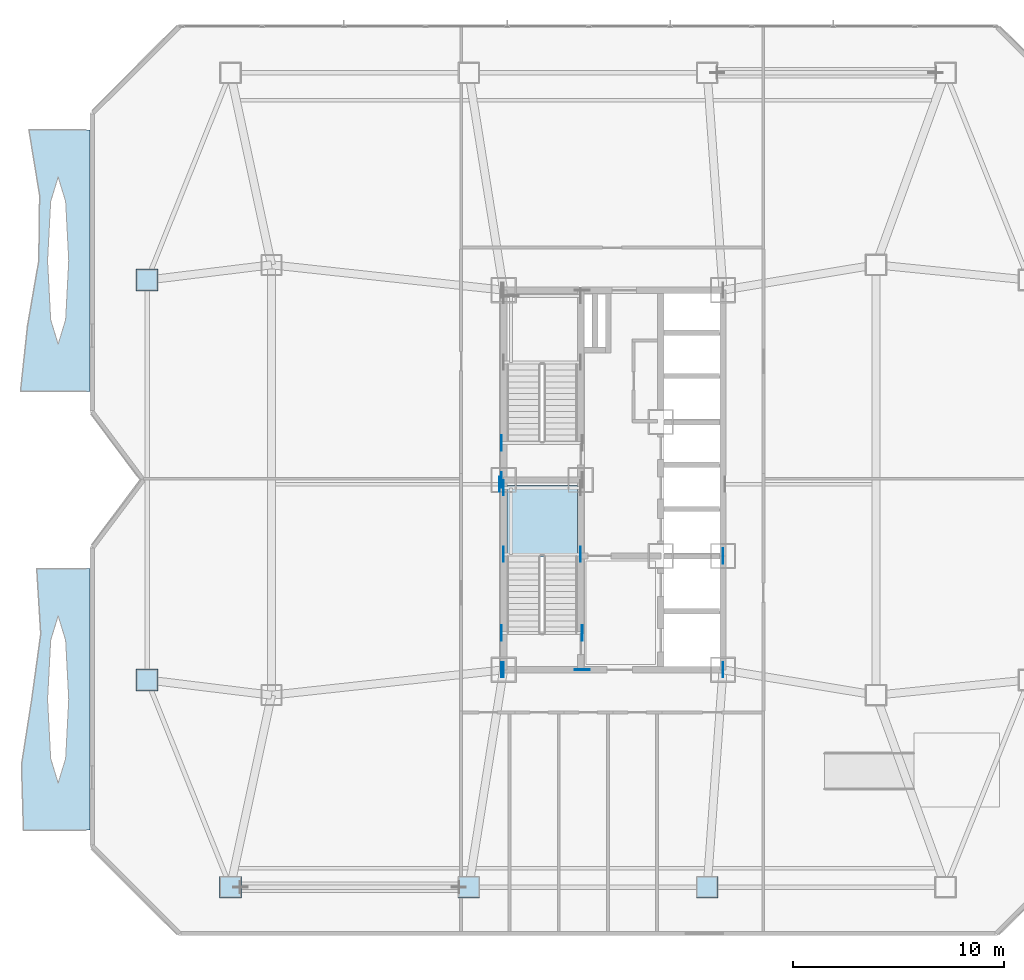
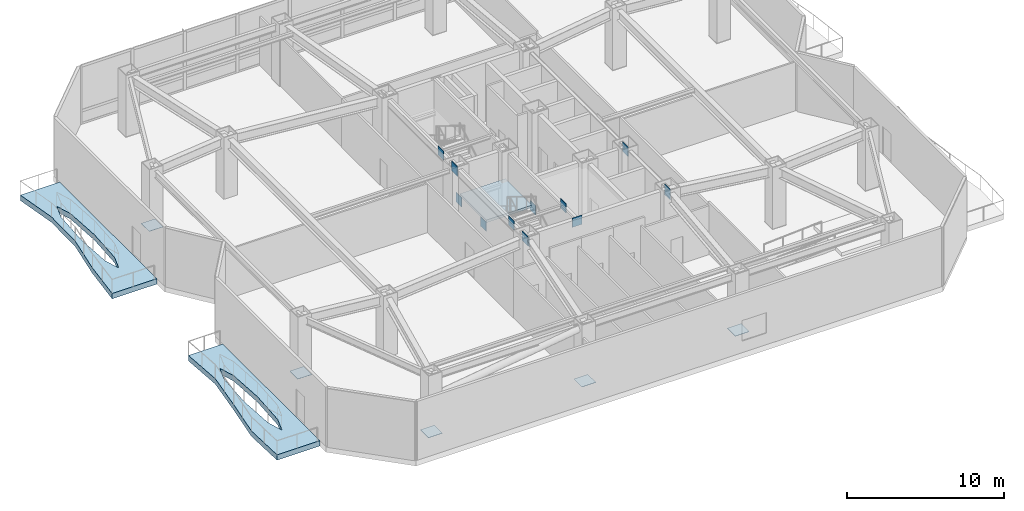
# One storey, part 5 of 14: 19 plates, 3 slabs, 1 element without a shape of its own.
"""IFC4 building model written with IfcOpenShell, lengths in metres."""

from ifc_helpers import new_model, si_unit, direction, frame, origin, origin_2d, place, context, subcontext, project, spatial, polyline, rectangle, outline, extrude, material, layer, layer_set, type_object, element, aggregate, save


model = new_model("IFC4")

# Units and contexts
model_context = context("Model", 3, precision=1e-05, world=origin(), true_north=direction((0.0, 1.0)))
body_context = subcontext(model_context, "Body", "Model", "MODEL_VIEW")
ifc_project = project(units=[si_unit("LENGTHUNIT", "METRE"), si_unit("AREAUNIT", "SQUARE_METRE"), si_unit("VOLUMEUNIT", "CUBIC_METRE"), si_unit("PLANEANGLEUNIT", "RADIAN"), si_unit("MASSUNIT", "GRAM", prefix="KILO")], contexts=[model_context])

# Site, building, storey
site_placement = place(None, origin())
site = spatial("IfcSite", under=ifc_project, at=site_placement, CompositionType="ELEMENT")
building_placement = place(site_placement, origin())
building = spatial("IfcBuilding", under=site, at=building_placement, Name="Khamvora Tower", CompositionType="ELEMENT")
storey_placement = place(building_placement, frame((0.0, 0.0, 89.800048828125)))
storey = spatial("IfcBuildingStorey", under=building, at=storey_placement, Name="L22", CompositionType="ELEMENT", Elevation=89.800048828125)

# Plates
ifc_material_1 = material(Name="Steel S355", Category="steel")
ifc_layer_1 = layer(ifc_material_1, 0.02490234375)
ifc_layer_set_1 = layer_set([ifc_layer_1], Name="Steel S355")
plate_type_1 = type_object("IfcPlateType", Name="PL-CAP-25", PredefinedType="SHEET", material=ifc_layer_set_1)
for number, where, z_axis, x_axis, name in (
    (1, (16.050048828125, 8.699951171875, -0.00048828125), (0.0, 0.0, 1.0), (1.0, 0.0, 0.0), "L22 hollow section steel end cap plate 0146"),
    (2, (27.35009765625, 8.699951171875, -0.00048828125), (0.0, 0.0, 1.0), (1.0, 0.0, 0.0), "L22 hollow section steel end cap plate 0149"),
    (3, (38.64990234375, 8.699951171875, -0.00048828125), (0.0, 0.0, 1.0), (1.0, 0.0, 0.0), "L22 hollow section steel end cap plate 0152"),
    (4, (12.10009765625, 18.52001953125, -0.00048828125), (0.0, 0.0, 1.0), (1.0, 0.0, 0.0), "L22 hollow section steel end cap plate 0170"),
    (5, (12.10009765625, 37.47998046875, -0.00048828125), (0.0, 0.0, 1.0), (1.0, 0.0, 0.0), "L22 hollow section steel end cap plate 0173"),
):
    element("IfcPlate", number, at=place(storey_placement, frame(where, z_axis=z_axis, x_axis=x_axis)), inside=storey, type_object=plate_type_1, Name=name, PredefinedType="SHEET", context=body_context, shape_type="SweptSolid", body=[
        extrude(rectangle(XDim=1.030029296875, YDim=1.030029296875, at=origin_2d()), origin(), (0.0, 0.0, 1.0), 0.02490234375),
    ])
ifc_material_2 = material(Name="Steel S460", Category="steel")
ifc_layer_2 = layer(ifc_material_2, 0.034912109375)
ifc_layer_set_2 = layer_set([ifc_layer_2], Name="Steel S460")
plate_type_2 = type_object("IfcPlateType", Name="PL-EMB-35", PredefinedType="SHEET", material=ifc_layer_set_2)
for number, where, z_axis, x_axis, name in (
    (6, (29.0, 24.47509765625, 1.708984375), (0.0, 0.0, 1.0), (1.0, 0.0, 0.0), "L22 core shear wall cast-in embed plate 0656"),
    (7, (32.64990234375, 24.47509765625, 1.708984375), (0.0, 0.0, 1.0), (1.0, 0.0, 0.0), "L22 core shear wall cast-in embed plate 0657"),
    (8, (29.0, 27.6298828125, 1.708984375), (0.0, 0.0, 1.0), (1.0, 0.0, 0.0), "L22 core shear wall cast-in embed plate 0658"),
    (9, (29.0, 19.0, 3.8330078125), (0.0, 0.0, 1.0), (1.0, 0.0, 0.0), "L22 core shear wall cast-in embed plate 0665"),
    (10, (39.39990234375, 19.0, 3.8330078125), (0.0, 0.0, 1.0), (1.0, 0.0, 0.0), "L22 core shear wall cast-in embed plate 0666"),
    (11, (28.89990234375, 19.0, 3.9541015625), (0.0, 0.0, 1.0), (1.0, 0.0, 0.0), "L22 core shear wall cast-in embed plate 0669"),
    (12, (28.89990234375, 28.0, 3.9541015625), (0.0, 0.0, 1.0), (1.0, 0.0, 0.0), "L22 core shear wall cast-in embed plate 0670"),
):
    element("IfcPlate", number, at=place(storey_placement, frame(where, z_axis=z_axis, x_axis=x_axis)), inside=storey, type_object=plate_type_2, Name=name, PredefinedType="SHEET", context=body_context, shape_type="SweptSolid", body=[
        extrude(rectangle(XDim=0.034912109375, YDim=0.719970703125, at=origin_2d()), origin(), (0.0, 0.0, 1.0), 0.719970703125),
    ])
plate_placement = place(storey_placement, frame((32.72998046875, 19.0, 3.9541015625), z_axis=(0.0, 0.0, 1.0), x_axis=(1.0, 0.0, 0.0)))
element("IfcPlate", 13, at=plate_placement, inside=storey, type_object=plate_type_2, Name="L22 core shear wall cast-in embed plate 0672", PredefinedType="SHEET", context=body_context, shape_type="SweptSolid", body=[
    extrude(rectangle(XDim=0.719970703125, YDim=0.034912109375, at=origin_2d()), origin(), (0.0, 0.0, 1.0), 0.719970703125),
])
for number, where, z_axis, x_axis, name in (
    (14, (39.39990234375, 19.0, 3.9541015625), (0.0, 0.0, 1.0), (1.0, 0.0, 0.0), "L22 core shear wall cast-in embed plate 0675"),
    (15, (39.39990234375, 24.39990234375, 3.9541015625), (0.0, 0.0, 1.0), (1.0, 0.0, 0.0), "L22 core shear wall cast-in embed plate 0676"),
    (16, (28.89990234375, 20.75, 4.09375), (0.0, 0.0, 1.0), (1.0, 0.0, 0.0), "L22 core shear wall cast-in embed plate 0678"),
    (17, (32.72998046875, 20.75, 4.09375), (0.0, 0.0, 1.0), (1.0, 0.0, 0.0), "L22 core shear wall cast-in embed plate 0679"),
    (18, (28.89990234375, 29.75, 4.09375), (0.0, 0.0, 1.0), (1.0, 0.0, 0.0), "L22 core shear wall cast-in embed plate 0680"),
    (19, (28.800048828125, 27.800048828125, 4.06396484375), (0.0, 0.0, 1.0), (1.0, 0.0, 0.0), "L22 core shear wall cast-in embed plate 0682"),
):
    element("IfcPlate", number, at=place(storey_placement, frame(where, z_axis=z_axis, x_axis=x_axis)), inside=storey, type_object=plate_type_2, Name=name, PredefinedType="SHEET", context=body_context, shape_type="SweptSolid", body=[
        extrude(rectangle(XDim=0.034912109375, YDim=0.719970703125, at=origin_2d()), origin(), (0.0, 0.0, 1.0), 0.719970703125),
    ])

# Slabs
ifc_material_3 = material(Name="Concrete C40/50", Category="concrete")
ifc_layer_3 = layer(ifc_material_3, 0.419921875)
ifc_layer_set_3 = layer_set([ifc_layer_3], Name="Concrete C40/50")
slab_type_1 = type_object("IfcSlabType", Name="SLB-GRD-420", PredefinedType="FLOOR", material=ifc_layer_set_3)
slab_1_placement = place(storey_placement, frame((0.0, 0.0, -0.420166015625)))
element("IfcSlab", 20, at=slab_1_placement, inside=storey, type_object=slab_type_1, Name="L22 external lens gallery slab WL1", PredefinedType="FLOOR", context=body_context, shape_type="SweptSolid", body=[
    extrude(outline(polyline([(9.39990234375, 11.39990234375), (9.39990234375, 23.800048828125), (6.867919921875, 23.800048828125), (7.05908203125, 20.699951171875), (6.633056640625, 17.60009765625), (6.14794921875, 14.5), (6.238037109375, 11.39990234375), (9.39990234375, 11.39990234375)]), holes=[polyline([(8.388916015625, 17.60009765625), (8.240966796875, 20.406005859375), (7.885009765625, 21.568115234375), (7.529052734375, 20.406005859375), (7.381103515625, 17.60009765625), (7.529052734375, 14.7939453125), (7.885009765625, 13.632080078125), (8.240966796875, 14.7939453125), (8.388916015625, 17.60009765625)])]), origin(), (0.0, 0.0, 1.0), 0.420166015625),
])
slab_2_placement = place(storey_placement, frame((0.0, 0.0, -0.420166015625)))
element("IfcSlab", 21, at=slab_2_placement, inside=storey, type_object=slab_type_1, Name="L22 external lens gallery slab WL2", PredefinedType="FLOOR", context=body_context, shape_type="SweptSolid", body=[
    extrude(outline(polyline([(9.39990234375, 32.199951171875), (9.39990234375, 44.60009765625), (6.4970703125, 44.60009765625), (7.006103515625, 41.5), (6.967041015625, 38.39990234375), (6.431884765625, 35.300048828125), (6.10009765625, 32.199951171875), (9.39990234375, 32.199951171875)]), holes=[polyline([(8.388916015625, 38.39990234375), (8.240966796875, 41.2060546875), (7.885009765625, 42.367919921875), (7.529052734375, 41.2060546875), (7.381103515625, 38.39990234375), (7.529052734375, 35.593994140625), (7.885009765625, 34.431884765625), (8.240966796875, 35.593994140625), (8.388916015625, 38.39990234375)])]), origin(), (0.0, 0.0, 1.0), 0.420166015625),
])

# Stair, slab
stair_type = type_object("IfcStairType", Name="STR-ST-01", PredefinedType="HALF_TURN_STAIR", material=ifc_material_3)
stair_placement = place(storey_placement, origin())
stair = element("IfcStair", 22, at=stair_placement, inside=storey, type_object=stair_type, Name="L22 South Tower Exit Stair ST-01", PredefinedType="HALF_TURN_STAIR")
ifc_layer_4 = layer(ifc_material_3, 0.199951171875)
ifc_layer_set_4 = layer_set([ifc_layer_4], Name="Concrete C40/50")
slab_type_2 = type_object("IfcSlabType", Name="SLB-LND-200", PredefinedType="LANDING", material=ifc_layer_set_4)
slab_3_placement = place(storey_placement, frame((0.0, 0.0, 2.199951171875)))
slab_3 = element("IfcSlab", 23, at=slab_3_placement, type_object=slab_type_2, Name="ST-01 landing 1", PredefinedType="LANDING", context=body_context, shape_type="SweptSolid", body=[
    extrude(outline(polyline([(32.5, 24.35498046875), (32.5, 27.75), (29.14990234375, 27.75), (29.14990234375, 24.35498046875), (32.5, 24.35498046875)])), origin(), (0.0, 0.0, 1.0), 0.199951171875),
])
aggregate(stair, [slab_3])

save(model, "model.ifc")
